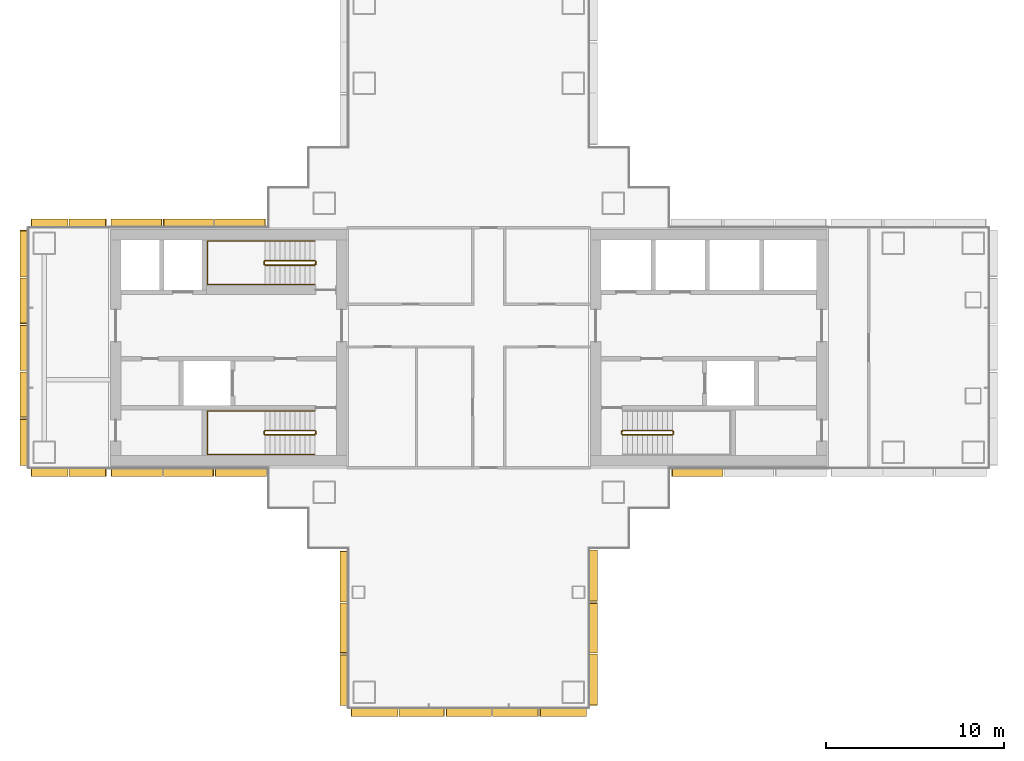
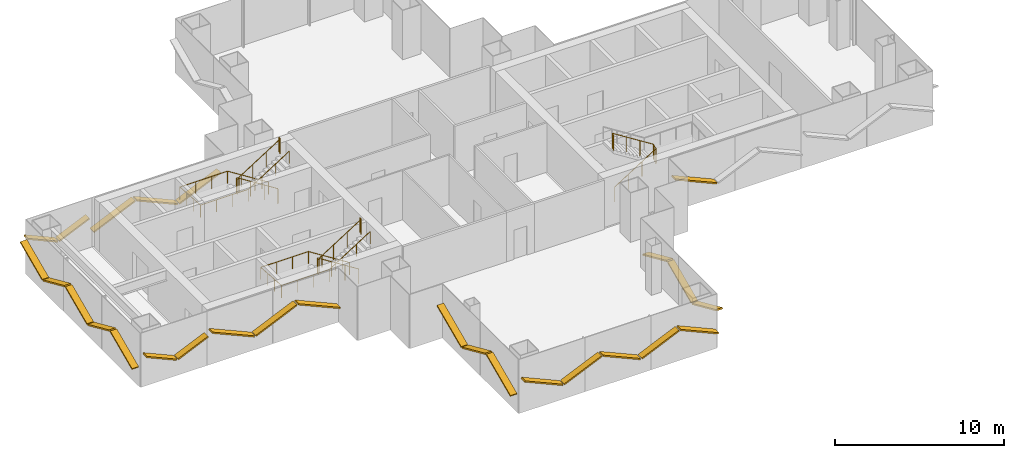
# One storey, part 16 of 18: 27 shading devices, 5 railings.
"""IFC4 building model written with IfcOpenShell, lengths in metres."""

import ifcopenshell
import ifcopenshell.guid

model = None  # the IFC model being written
_history = None  # IfcOwnerHistory: only IFC2X3 demands one
_inside = {}  # id of a spatial element -> (the spatial element, [elements in it])
_under = {}  # id of a project, library or spatial element -> (it, [spatial elements below it])
_declared = {}  # id of a project -> (the project, [libraries it declares])
_typed = {}  # id of a type object -> (the type object, [elements of that type])
_made_of = {}  # id of a material, layer set ... -> (it, [elements and type objects made of it])


def new_model(schema):
    """Start an empty IFC model of exactly this schema.

    Asked for "IFC4X3", IfcOpenShell would pick the latest addendum, in which some entities
    have other attributes; the version numbers below select the first issue.
    IFC2X3 requires an IfcOwnerHistory on every rooted entity: one is made here for all.
    """
    global model, _history
    if schema == "IFC4X3":
        model = ifcopenshell.file(schema_version=(4, 3, 0, 0))
    else:
        model = ifcopenshell.file(schema=schema)
    _inside.clear()
    _under.clear()
    _declared.clear()
    _typed.clear()
    _made_of.clear()
    _history = None
    if model.schema == "IFC2X3":
        org = make("IfcOrganization", Name="unknown")
        user = make(
            "IfcPersonAndOrganization",
            ThePerson=make("IfcPerson", FamilyName="unknown"),
            TheOrganization=org,
        )
        app = make(
            "IfcApplication",
            ApplicationDeveloper=org,
            Version="unknown",
            ApplicationFullName="unknown",
            ApplicationIdentifier="unknown",
        )
        _history = make(
            "IfcOwnerHistory",
            OwningUser=user,
            OwningApplication=app,
            ChangeAction="ADDED",
            CreationDate=0,
        )
    return model


def make(cls, **values):
    """One entity of the class cls with the attributes given. An attribute that is None is left unset."""
    return model.create_entity(
        cls, **{name: value for name, value in values.items() if value is not None}
    )


def rooted(cls, **values):
    """An entity with a GlobalId (a new one), such as an element, a storey or a relation."""
    return make(cls, GlobalId=ifcopenshell.guid.new(), OwnerHistory=_history, **values)


def si_unit(unit_type, name, prefix=None):
    """IfcSIUnit, for example si_unit("LENGTHUNIT", "METRE", prefix="MILLI")."""
    return make("IfcSIUnit", UnitType=unit_type, Prefix=prefix, Name=name)


def assignment(units):
    """IfcUnitAssignment: the units of a project."""
    return None if units is None else make("IfcUnitAssignment", Units=units)


def point(xyz):
    """IfcCartesianPoint."""
    return None if xyz is None else make("IfcCartesianPoint", Coordinates=xyz)


def direction(xyz):
    """IfcDirection."""
    return None if xyz is None else make("IfcDirection", DirectionRatios=xyz)


def frame(location, z_axis=None, x_axis=None):
    """IfcAxis2Placement3D, a coordinate frame: its origin and axes. An axis left out is left unset."""
    return make(
        "IfcAxis2Placement3D",
        Location=point(location),
        Axis=direction(z_axis),
        RefDirection=direction(x_axis),
    )


def frame_2d(location, x_axis=None):
    """IfcAxis2Placement2D, a coordinate frame in the plane: its origin and x axis."""
    return make(
        "IfcAxis2Placement2D", Location=point(location), RefDirection=direction(x_axis)
    )


def origin():
    """The frame at (0, 0, 0) with its axes left unset."""
    return frame((0.0, 0.0, 0.0))


def origin_2d():
    """The frame at (0, 0) in the plane with its x axis left unset."""
    return frame_2d((0.0, 0.0))


def place(relative_to, where):
    """IfcLocalPlacement: puts the frame where relative to a parent placement (None: the world)."""
    return make(
        "IfcLocalPlacement", PlacementRelTo=relative_to, RelativePlacement=where
    )


def context(
    kind, dimensions, precision=None, world=None, true_north=None, identifier=None
):
    """IfcGeometricRepresentationContext, for example the 3D "Model" context."""
    return make(
        "IfcGeometricRepresentationContext",
        ContextIdentifier=identifier,
        ContextType=kind,
        CoordinateSpaceDimension=dimensions,
        Precision=precision,
        WorldCoordinateSystem=world,
        TrueNorth=true_north,
    )


def subcontext(parent, identifier, kind, view, scale=None):
    """IfcGeometricRepresentationSubContext, for example "Body" below "Model"."""
    return make(
        "IfcGeometricRepresentationSubContext",
        ContextIdentifier=identifier,
        ContextType=kind,
        ParentContext=parent,
        TargetScale=scale,
        TargetView=view,
    )


def project(units=None, contexts=None):
    """IfcProject with its units and contexts."""
    return rooted(
        "IfcProject",
        Name="project",
        RepresentationContexts=contexts,
        UnitsInContext=assignment(units),
    )


def spatial(cls, under=None, at=None, **own):
    """A site, building, storey or space (cls), placed at a placement, below another one or the project."""
    s = rooted(cls, ObjectPlacement=at, **own)
    if under is not None:
        _under.setdefault(under.id(), (under, []))[1].append(s)
    return s


def profile(cls, at=None, kind="AREA", **sizes):
    """A parametric profile (cls). Its sizes go by their IFC names, for example OverallWidth=200.0."""
    return make(cls, ProfileType=kind, Position=at, **sizes)


def rectangle(**sizes):
    """IfcRectangleProfileDef."""
    return profile("IfcRectangleProfileDef", **sizes)


def circle(**sizes):
    """IfcCircleProfileDef."""
    return profile("IfcCircleProfileDef", **sizes)


def extrude(swept, where, along, depth):
    """IfcExtrudedAreaSolid: the profile swept, set in the frame where, extruded along a direction by depth."""
    return make(
        "IfcExtrudedAreaSolid",
        SweptArea=swept,
        Position=where,
        ExtrudedDirection=direction(along),
        Depth=depth,
    )


def shape(context_of_items, identifier, shape_type, items):
    """IfcShapeRepresentation: the items that make up one representation, for example the "Body"."""
    return make(
        "IfcShapeRepresentation",
        ContextOfItems=context_of_items,
        RepresentationIdentifier=identifier,
        RepresentationType=shape_type,
        Items=items,
    )


def material(Name=None, Category=None):
    """IfcMaterial."""
    return make("IfcMaterial", Name=Name, Category=Category)


def material_profile(
    of_material, cross_section, Name=None, Category=None, Priority=None
):
    """IfcMaterialProfile: a cross section and its material."""
    return make(
        "IfcMaterialProfile",
        Name=Name,
        Material=of_material,
        Profile=cross_section,
        Priority=Priority,
        Category=Category,
    )


def profile_set(profiles, Name=None, composite=None):
    """IfcMaterialProfileSet."""
    return make(
        "IfcMaterialProfileSet",
        Name=Name,
        MaterialProfiles=profiles,
        CompositeProfile=composite,
    )


def made_of(thing, what):
    """Note that an element or type object is made of a material, layer set ...; save() writes the relation."""
    if what is not None:
        _made_of.setdefault(what.id(), (what, []))[1].append(thing)
    return thing


def type_object(cls, material=None, **own):
    """A type object (cls), such as IfcWallType, which elements share."""
    return made_of(rooted(cls, **own), material)


def element(
    cls,
    number,
    at=None,
    inside=None,
    cuts=None,
    type_object=None,
    material=None,
    context=None,
    identifier="Body",
    shape_type=None,
    held_by="IfcProductDefinitionShape",
    body=None,
    shapes=None,
    **own,
):
    """One element of the class cls, such as IfcWall. Its Tag is "e" and its number.

    at: its placement. inside: the storey or other place that contains it. cuts: it is an
    opening in that element (IfcRelVoidsElement). A single representation is given by context,
    identifier, shape_type and body (its items); several are given by shapes. held_by: the class
    of the entity that holds the representations. save() writes the other relations.
    """
    e = rooted(cls, Tag="e%d" % number, ObjectPlacement=at, **own)
    if body is not None:
        shapes = [shape(context, identifier, shape_type, body)]
    if shapes is not None:
        e.Representation = make(held_by, Representations=shapes)
    if inside is not None:
        _inside.setdefault(inside.id(), (inside, []))[1].append(e)
    if cuts is not None:
        rooted(
            "IfcRelVoidsElement", RelatingBuildingElement=cuts, RelatedOpeningElement=e
        )
    if type_object is not None:
        _typed.setdefault(type_object.id(), (type_object, []))[1].append(e)
    return made_of(e, material)


def aggregate(whole, parts):
    """IfcRelAggregates: a whole, such as a stair, and the parts it consists of."""
    return rooted("IfcRelAggregates", RelatingObject=whole, RelatedObjects=parts)


def save(model, path):
    """Write the relations noted so far, then the file.

    IfcRelAggregates (storeys below a building ...), IfcRelContainedInSpatialStructure (elements
    in a storey), IfcRelDefinesByType, IfcRelAssociatesMaterial and IfcRelDeclares: one each for
    every whole, place, type object, material and project.
    """
    for whole, parts in _under.values():
        aggregate(whole, parts)
    for where, things in _inside.values():
        rooted(
            "IfcRelContainedInSpatialStructure",
            RelatedElements=things,
            RelatingStructure=where,
        )
    for kind, things in _typed.values():
        rooted("IfcRelDefinesByType", RelatedObjects=things, RelatingType=kind)
    for what, things in _made_of.values():
        rooted("IfcRelAssociatesMaterial", RelatedObjects=things, RelatingMaterial=what)
    for by, libraries in _declared.values():
        rooted("IfcRelDeclares", RelatingContext=by, RelatedDefinitions=libraries)
    model.write(path)


model = new_model("IFC4")

# Units and contexts
model_context = context("Model", 3, precision=1e-05, world=origin(), true_north=direction((0.0, 1.0)))
body_context = subcontext(model_context, "Body", "Model", "MODEL_VIEW")
ifc_project = project(units=[si_unit("LENGTHUNIT", "METRE"), si_unit("AREAUNIT", "SQUARE_METRE"), si_unit("VOLUMEUNIT", "CUBIC_METRE"), si_unit("PLANEANGLEUNIT", "RADIAN"), si_unit("MASSUNIT", "GRAM", prefix="KILO")], contexts=[model_context])

# Site, building, storey
site_placement = place(None, origin())
site = spatial("IfcSite", under=ifc_project, at=site_placement, CompositionType="ELEMENT")
building_placement = place(site_placement, origin())
building = spatial("IfcBuilding", under=site, at=building_placement, Name="Shamsa Quay Exchange Towers", CompositionType="ELEMENT")
storey_placement = place(building_placement, frame((0.0, 0.0, 117.0)))
storey = spatial("IfcBuildingStorey", under=building, at=storey_placement, Name="L27", CompositionType="ELEMENT", Elevation=117.0)

# Shading devices
ifc_material_1 = material(Name="Aluminium EN AW-6063 T6, black anodised", Category="aluminium")
ifc_material_profile = material_profile(ifc_material_1, rectangle(XDim=0.449951171875, YDim=0.10009765625, at=origin_2d()), Name="FIN450x100")
ifc_profile_set = profile_set([ifc_material_profile], Name="Aluminium EN AW-6063 T6, black anodised")
shading_device_type = type_object("IfcShadingDeviceType", Name="FIN 450x100 BLACK ALUMINIUM", PredefinedType="USERDEFINED", material=ifc_profile_set)
shading_device_1_placement = place(storey_placement, frame((-40.764892578125, -11.43798828125, 2.231689453125), z_axis=(0.0, -0.913529328323, -0.406772868187), x_axis=(1.0, 0.0, 0.0)))
element("IfcShadingDevice", 1, at=shading_device_1_placement, inside=storey, type_object=shading_device_type, Name="FIN T1 chevron rib", ObjectType="FIN", PredefinedType="USERDEFINED", context=body_context, shape_type="SweptSolid", body=[
    extrude(rectangle(XDim=0.449951171875, YDim=0.10009765625, at=origin_2d()), origin(), (0.0, 0.0, 1.0), 3.10595703125),
])
shading_device_2_placement = place(storey_placement, frame((-40.764892578125, -14.375244140625, 0.9794921875), z_axis=(0.0, -0.913550687431, 0.406724896576), x_axis=(1.0, 0.0, 0.0)))
element("IfcShadingDevice", 2, at=shading_device_2_placement, inside=storey, type_object=shading_device_type, Name="FIN T1 chevron rib", ObjectType="FIN", PredefinedType="USERDEFINED", context=body_context, shape_type="SweptSolid", body=[
    extrude(rectangle(XDim=0.449951171875, YDim=0.10009765625, at=origin_2d()), origin(), (0.0, 0.0, 1.0), 3.051025390625),
])
shading_device_3_placement = place(storey_placement, frame((-40.764892578125, -17.2626953125, 2.231689453125), z_axis=(0.0, -0.913529328323, -0.406772868187), x_axis=(1.0, 0.0, 0.0)))
element("IfcShadingDevice", 3, at=shading_device_3_placement, inside=storey, type_object=shading_device_type, Name="FIN T1 chevron rib", ObjectType="FIN", PredefinedType="USERDEFINED", context=body_context, shape_type="SweptSolid", body=[
    extrude(rectangle(XDim=0.449951171875, YDim=0.10009765625, at=origin_2d()), origin(), (0.0, 0.0, 1.0), 3.10595703125),
])
shading_device_4_placement = place(storey_placement, frame((-40.35009765625, -20.514892578125, 2.176513671875), z_axis=(0.91355925163, 0.0, -0.406705659859), x_axis=(0.0, 1.0, 0.0)))
element("IfcShadingDevice", 4, at=shading_device_4_placement, inside=storey, type_object=shading_device_type, Name="FIN T1 chevron rib", ObjectType="FIN", PredefinedType="USERDEFINED", context=body_context, shape_type="SweptSolid", body=[
    extrude(rectangle(XDim=0.449951171875, YDim=0.10009765625, at=origin_2d()), origin(), (0.0, 0.0, 1.0), 2.835205078125),
])
shading_device_5_placement = place(storey_placement, frame((-37.659912109375, -20.514892578125, 1.03466796875), z_axis=(0.913536125794, 0.0, 0.406757602103), x_axis=(0.0, 1.0, 0.0)))
element("IfcShadingDevice", 5, at=shading_device_5_placement, inside=storey, type_object=shading_device_type, Name="FIN T1 chevron rib", ObjectType="FIN", PredefinedType="USERDEFINED", context=body_context, shape_type="SweptSolid", body=[
    extrude(rectangle(XDim=0.449951171875, YDim=0.10009765625, at=origin_2d()), origin(), (0.0, 0.0, 1.0), 2.7802734375),
])
shading_device_6_placement = place(storey_placement, frame((-35.02001953125, -20.514892578125, 2.16552734375), z_axis=(0.913550653139, 0.0, -0.4067249736), x_axis=(0.0, 1.0, 0.0)))
element("IfcShadingDevice", 6, at=shading_device_6_placement, inside=storey, type_object=shading_device_type, Name="FIN T1 chevron rib", ObjectType="FIN", PredefinedType="USERDEFINED", context=body_context, shape_type="SweptSolid", body=[
    extrude(rectangle(XDim=0.449951171875, YDim=0.10009765625, at=origin_2d()), origin(), (0.0, 0.0, 1.0), 2.780517578125),
])
shading_device_7_placement = place(storey_placement, frame((-32.3798828125, -20.514892578125, 1.03466796875), z_axis=(0.913536125794, 0.0, 0.406757602103), x_axis=(0.0, 1.0, 0.0)))
element("IfcShadingDevice", 7, at=shading_device_7_placement, inside=storey, type_object=shading_device_type, Name="FIN T1 chevron rib", ObjectType="FIN", PredefinedType="USERDEFINED", context=body_context, shape_type="SweptSolid", body=[
    extrude(rectangle(XDim=0.449951171875, YDim=0.10009765625, at=origin_2d()), origin(), (0.0, 0.0, 1.0), 2.7802734375),
])
shading_device_8_placement = place(storey_placement, frame((-29.739990234375, -20.514892578125, 2.176513671875), z_axis=(0.91355925163, 0.0, -0.406705659859), x_axis=(0.0, 1.0, 0.0)))
element("IfcShadingDevice", 8, at=shading_device_8_placement, inside=storey, type_object=shading_device_type, Name="FIN T1 chevron rib", ObjectType="FIN", PredefinedType="USERDEFINED", context=body_context, shape_type="SweptSolid", body=[
    extrude(rectangle(XDim=0.449951171875, YDim=0.10009765625, at=origin_2d()), origin(), (0.0, 0.0, 1.0), 2.835205078125),
])
shading_device_9_placement = place(storey_placement, frame((-26.735107421875, -20.10009765625, 2.234375), z_axis=(0.0, 0.913562893981, -0.406697478158), x_axis=(-1.0, 0.0, 0.0)))
element("IfcShadingDevice", 9, at=shading_device_9_placement, inside=storey, type_object=shading_device_type, Name="FIN T1 chevron rib", ObjectType="FIN", PredefinedType="USERDEFINED", context=body_context, shape_type="SweptSolid", body=[
    extrude(rectangle(XDim=0.449951171875, YDim=0.10009765625, at=origin_2d()), origin(), (0.0, 0.0, 1.0), 3.119873046875),
])
shading_device_10_placement = place(storey_placement, frame((-26.735107421875, -17.14990234375, 0.9765625), z_axis=(0.0, 0.913512380128, 0.406810928262), x_axis=(-1.0, 0.0, 0.0)))
element("IfcShadingDevice", 10, at=shading_device_10_placement, inside=storey, type_object=shading_device_type, Name="FIN T1 chevron rib", ObjectType="FIN", PredefinedType="USERDEFINED", context=body_context, shape_type="SweptSolid", body=[
    extrude(rectangle(XDim=0.449951171875, YDim=0.10009765625, at=origin_2d()), origin(), (0.0, 0.0, 1.0), 3.06494140625),
])
shading_device_11_placement = place(storey_placement, frame((-26.735107421875, -14.25, 2.234375), z_axis=(0.0, 0.913562893981, -0.406697478158), x_axis=(-1.0, 0.0, 0.0)))
element("IfcShadingDevice", 11, at=shading_device_11_placement, inside=storey, type_object=shading_device_type, Name="FIN T1 chevron rib", ObjectType="FIN", PredefinedType="USERDEFINED", context=body_context, shape_type="SweptSolid", body=[
    extrude(rectangle(XDim=0.449951171875, YDim=0.10009765625, at=origin_2d()), origin(), (0.0, 0.0, 1.0), 3.119873046875),
])
for number, where, z_axis, x_axis, name in (
    (12, (-22.31201171875, -7.01904296875, 2.231689453125), (0.913529328323, 0.0, -0.406772868187), (0.0, 1.0, 0.0), "FIN T1 chevron rib"),
    (13, (-45.18798828125, 7.01904296875, 2.231689453125), (-0.913529328323, 0.0, -0.406772868187), (0.0, -1.0, 0.0), "FIN T1 chevron rib"),
):
    element("IfcShadingDevice", number, at=place(storey_placement, frame(where, z_axis=z_axis, x_axis=x_axis)), inside=storey, type_object=shading_device_type, Name=name, ObjectType="FIN", PredefinedType="USERDEFINED", context=body_context, shape_type="SweptSolid", body=[
        extrude(rectangle(XDim=0.449951171875, YDim=0.10009765625, at=origin_2d()), origin(), (0.0, 0.0, 1.0), 3.10595703125),
    ])
shading_device_12_placement = place(storey_placement, frame((-48.125244140625, 7.01904296875, 0.9794921875), z_axis=(-0.913550687431, 0.0, 0.406724896576), x_axis=(0.0, -1.0, 0.0)))
element("IfcShadingDevice", 14, at=shading_device_12_placement, inside=storey, type_object=shading_device_type, Name="FIN T1 chevron rib", ObjectType="FIN", PredefinedType="USERDEFINED", context=body_context, shape_type="SweptSolid", body=[
    extrude(rectangle(XDim=0.449951171875, YDim=0.10009765625, at=origin_2d()), origin(), (0.0, 0.0, 1.0), 3.051025390625),
])
shading_device_13_placement = place(storey_placement, frame((-51.0126953125, 7.01904296875, 2.231689453125), z_axis=(-0.913529328323, 0.0, -0.406772868187), x_axis=(0.0, -1.0, 0.0)))
element("IfcShadingDevice", 15, at=shading_device_13_placement, inside=storey, type_object=shading_device_type, Name="FIN T1 chevron rib", ObjectType="FIN", PredefinedType="USERDEFINED", context=body_context, shape_type="SweptSolid", body=[
    extrude(rectangle(XDim=0.449951171875, YDim=0.10009765625, at=origin_2d()), origin(), (0.0, 0.0, 1.0), 3.10595703125),
])
for number, where, z_axis, x_axis, name in (
    (16, (-54.14990234375, 7.014892578125, 2.056396484375), (-0.913528691757, 0.0, -0.406774297783), (0.0, -1.0, 0.0), "FIN T1 chevron rib"),
    (17, (-56.300048828125, 7.014892578125, 1.1435546875), (-0.913528691757, 0.0, 0.406774297783), (0.0, -1.0, 0.0), "FIN T1 chevron rib"),
):
    element("IfcShadingDevice", number, at=place(storey_placement, frame(where, z_axis=z_axis, x_axis=x_axis)), inside=storey, type_object=shading_device_type, Name=name, ObjectType="FIN", PredefinedType="USERDEFINED", context=body_context, shape_type="SweptSolid", body=[
        extrude(rectangle(XDim=0.449951171875, YDim=0.10009765625, at=origin_2d()), origin(), (0.0, 0.0, 1.0), 2.244140625),
    ])
shading_device_14_placement = place(storey_placement, frame((-58.764892578125, 6.60009765625, 2.176513671875), z_axis=(0.0, -0.91355925163, -0.406705659859), x_axis=(1.0, 0.0, 0.0)))
element("IfcShadingDevice", 18, at=shading_device_14_placement, inside=storey, type_object=shading_device_type, Name="FIN T1 chevron rib", ObjectType="FIN", PredefinedType="USERDEFINED", context=body_context, shape_type="SweptSolid", body=[
    extrude(rectangle(XDim=0.449951171875, YDim=0.10009765625, at=origin_2d()), origin(), (0.0, 0.0, 1.0), 2.835205078125),
])
shading_device_15_placement = place(storey_placement, frame((-58.764892578125, 3.909912109375, 1.03466796875), z_axis=(0.0, -0.913536125794, 0.406757602103), x_axis=(1.0, 0.0, 0.0)))
element("IfcShadingDevice", 19, at=shading_device_15_placement, inside=storey, type_object=shading_device_type, Name="FIN T1 chevron rib", ObjectType="FIN", PredefinedType="USERDEFINED", context=body_context, shape_type="SweptSolid", body=[
    extrude(rectangle(XDim=0.449951171875, YDim=0.10009765625, at=origin_2d()), origin(), (0.0, 0.0, 1.0), 2.7802734375),
])
shading_device_16_placement = place(storey_placement, frame((-58.764892578125, 1.27001953125, 2.16552734375), z_axis=(0.0, -0.913550653139, -0.4067249736), x_axis=(1.0, 0.0, 0.0)))
element("IfcShadingDevice", 20, at=shading_device_16_placement, inside=storey, type_object=shading_device_type, Name="FIN T1 chevron rib", ObjectType="FIN", PredefinedType="USERDEFINED", context=body_context, shape_type="SweptSolid", body=[
    extrude(rectangle(XDim=0.449951171875, YDim=0.10009765625, at=origin_2d()), origin(), (0.0, 0.0, 1.0), 2.780517578125),
])
shading_device_17_placement = place(storey_placement, frame((-58.764892578125, -1.3701171875, 1.03466796875), z_axis=(0.0, -0.913536125794, 0.406757602103), x_axis=(1.0, 0.0, 0.0)))
element("IfcShadingDevice", 21, at=shading_device_17_placement, inside=storey, type_object=shading_device_type, Name="FIN T1 chevron rib", ObjectType="FIN", PredefinedType="USERDEFINED", context=body_context, shape_type="SweptSolid", body=[
    extrude(rectangle(XDim=0.449951171875, YDim=0.10009765625, at=origin_2d()), origin(), (0.0, 0.0, 1.0), 2.7802734375),
])
shading_device_18_placement = place(storey_placement, frame((-58.764892578125, -4.010009765625, 2.176513671875), z_axis=(0.0, -0.91355925163, -0.406705659859), x_axis=(1.0, 0.0, 0.0)))
element("IfcShadingDevice", 22, at=shading_device_18_placement, inside=storey, type_object=shading_device_type, Name="FIN T1 chevron rib", ObjectType="FIN", PredefinedType="USERDEFINED", context=body_context, shape_type="SweptSolid", body=[
    extrude(rectangle(XDim=0.449951171875, YDim=0.10009765625, at=origin_2d()), origin(), (0.0, 0.0, 1.0), 2.835205078125),
])
for number, where, z_axis, x_axis, name in (
    (23, (-58.35009765625, -7.014892578125, 2.056396484375), (0.913528691757, 0.0, -0.406774297783), (0.0, 1.0, 0.0), "FIN T1 chevron rib"),
    (24, (-56.199951171875, -7.014892578125, 1.1435546875), (0.913528691757, 0.0, 0.406774297783), (0.0, 1.0, 0.0), "FIN T1 chevron rib"),
):
    element("IfcShadingDevice", number, at=place(storey_placement, frame(where, z_axis=z_axis, x_axis=x_axis)), inside=storey, type_object=shading_device_type, Name=name, ObjectType="FIN", PredefinedType="USERDEFINED", context=body_context, shape_type="SweptSolid", body=[
        extrude(rectangle(XDim=0.449951171875, YDim=0.10009765625, at=origin_2d()), origin(), (0.0, 0.0, 1.0), 2.244140625),
    ])
shading_device_19_placement = place(storey_placement, frame((-53.85009765625, -7.01904296875, 2.234375), z_axis=(0.913562893981, 0.0, -0.406697478158), x_axis=(0.0, 1.0, 0.0)))
element("IfcShadingDevice", 25, at=shading_device_19_placement, inside=storey, type_object=shading_device_type, Name="FIN T1 chevron rib", ObjectType="FIN", PredefinedType="USERDEFINED", context=body_context, shape_type="SweptSolid", body=[
    extrude(rectangle(XDim=0.449951171875, YDim=0.10009765625, at=origin_2d()), origin(), (0.0, 0.0, 1.0), 3.119873046875),
])
shading_device_20_placement = place(storey_placement, frame((-50.89990234375, -7.01904296875, 0.9765625), z_axis=(0.913512380128, 0.0, 0.406810928262), x_axis=(0.0, 1.0, 0.0)))
element("IfcShadingDevice", 26, at=shading_device_20_placement, inside=storey, type_object=shading_device_type, Name="FIN T1 chevron rib", ObjectType="FIN", PredefinedType="USERDEFINED", context=body_context, shape_type="SweptSolid", body=[
    extrude(rectangle(XDim=0.449951171875, YDim=0.10009765625, at=origin_2d()), origin(), (0.0, 0.0, 1.0), 3.06494140625),
])
shading_device_21_placement = place(storey_placement, frame((-48.0, -7.01904296875, 2.234375), z_axis=(0.913562893981, 0.0, -0.406697478158), x_axis=(0.0, 1.0, 0.0)))
element("IfcShadingDevice", 27, at=shading_device_21_placement, inside=storey, type_object=shading_device_type, Name="FIN T1 chevron rib", ObjectType="FIN", PredefinedType="USERDEFINED", context=body_context, shape_type="SweptSolid", body=[
    extrude(rectangle(XDim=0.449951171875, YDim=0.10009765625, at=origin_2d()), origin(), (0.0, 0.0, 1.0), 3.119873046875),
])

# Railings
ifc_material_2 = material(Name="Stainless steel", Category="steel")
railing_type_1 = type_object("IfcRailingType", Name="STAIR GUARD 1100", PredefinedType="GUARDRAIL", material=ifc_material_2)
railing_1_placement = place(storey_placement, frame((-25.10009765625, -4.89990234375, 0.17724609375)))
element("IfcRailing", 28, at=railing_1_placement, inside=storey, type_object=railing_type_1, Name="L27 ST1 stair guard 1", PredefinedType="GUARDRAIL", context=body_context, shape_type="SweptSolid", body=[
    extrude(circle(Radius=0.02392578125, at=origin_2d()), frame((0.0, 0.0, 1.076171875), z_axis=(0.844908973607, 0.0, 0.534910110503), x_axis=(0.0, 1.0, 0.0)), (0.0, 0.0, 1.0), 3.31396484375),
    extrude(circle(Radius=0.02392578125, at=origin_2d()), frame((2.800048828125, 0.0, 2.8486328125), z_axis=(0.708833529934, 0.705375805398, 0.0), x_axis=(-0.705375805398, 0.708833529934, 0.0)), (0.0, 0.0, 1.0), 0.070556640625),
    extrude(circle(Radius=0.02392578125, at=origin_2d()), frame((2.85009765625, 0.0498046875, 2.8486328125), z_axis=(0.0, 1.0, 0.0), x_axis=(-1.0, 0.0, 0.0)), (0.0, 0.0, 1.0), 0.150146484375),
    extrude(circle(Radius=0.02392578125, at=origin_2d()), frame((2.85009765625, 0.199951171875, 2.8486328125), z_axis=(-0.262233686654, 0.262233686654, 0.928691007369), x_axis=(-0.707106781187, -0.707106781187, 0.0)), (0.0, 0.0, 1.0), 0.19091796875),
    extrude(circle(Radius=0.02392578125, at=origin_2d()), frame((2.800048828125, 0.25, 3.02587890625), z_axis=(-0.844908973607, 0.0, 0.534910110503), x_axis=(0.0, -1.0, 0.0)), (0.0, 0.0, 1.0), 3.31396484375),
    extrude(circle(Radius=0.02392578125, at=origin_2d()), frame((0.0, 0.25, 4.798828125), z_axis=(-0.24142163986, -0.970420317083, 0.0), x_axis=(0.970420317083, -0.24142163986, 0.0)), (0.0, 0.0, 1.0), 0.206298828125),
    extrude(circle(Radius=0.02392578125, at=origin_2d()), frame((-0.0498046875, 0.0498046875, 4.798828125), z_axis=(0.0, 1.0, 0.0), x_axis=(-1.0, 0.0, 0.0)), (0.0, 0.0, 1.0), 0.150146484375),
    extrude(circle(Radius=0.02099609375, at=origin_2d()), origin(), (0.0, 0.0, 1.0), 1.052001953125),
    extrude(circle(Radius=0.02099609375, at=origin_2d()), frame((0.933349609375, 0.0, 0.5908203125)), (0.0, 0.0, 1.0), 1.052001953125),
    extrude(circle(Radius=0.02099609375, at=origin_2d()), frame((1.86669921875, 0.0, 1.181884765625)), (0.0, 0.0, 1.0), 1.052001953125),
    extrude(circle(Radius=0.02099609375, at=origin_2d()), frame((2.800048828125, 0.0, 1.772705078125)), (0.0, 0.0, 1.0), 1.052001953125),
    extrude(circle(Radius=0.02099609375, at=origin_2d()), frame((2.85009765625, 0.0498046875, 1.772705078125)), (0.0, 0.0, 1.0), 1.052001953125),
    extrude(circle(Radius=0.02099609375, at=origin_2d()), frame((2.85009765625, 0.199951171875, 1.772705078125)), (0.0, 0.0, 1.0), 1.052001953125),
    extrude(circle(Radius=0.02099609375, at=origin_2d()), frame((2.800048828125, 0.25, 1.949951171875)), (0.0, 0.0, 1.0), 1.052001953125),
    extrude(circle(Radius=0.02099609375, at=origin_2d()), frame((1.86669921875, 0.25, 2.540771484375)), (0.0, 0.0, 1.0), 1.052001953125),
    extrude(circle(Radius=0.02099609375, at=origin_2d()), frame((0.933349609375, 0.25, 3.1318359375)), (0.0, 0.0, 1.0), 1.052001953125),
    extrude(circle(Radius=0.02099609375, at=origin_2d()), frame((0.0, 0.25, 3.72265625)), (0.0, 0.0, 1.0), 1.052001953125),
    extrude(circle(Radius=0.02099609375, at=origin_2d()), frame((-0.0498046875, 0.0498046875, 3.72265625)), (0.0, 0.0, 1.0), 1.052001953125),
    extrude(circle(Radius=0.02099609375, at=origin_2d()), frame((-0.0498046875, 0.199951171875, 3.72265625)), (0.0, 0.0, 1.0), 1.052001953125),
])
railing_2_placement = place(storey_placement, frame((-42.39990234375, -4.64990234375, 0.17724609375)))
element("IfcRailing", 29, at=railing_2_placement, inside=storey, type_object=railing_type_1, Name="L27 ST2 stair guard 1", PredefinedType="GUARDRAIL", context=body_context, shape_type="SweptSolid", body=[
    extrude(circle(Radius=0.02392578125, at=origin_2d()), frame((0.0, 0.0, 1.076171875), z_axis=(-0.844908973607, 0.0, 0.534910110503), x_axis=(0.0, -1.0, 0.0)), (0.0, 0.0, 1.0), 3.31396484375),
    extrude(circle(Radius=0.02392578125, at=origin_2d()), frame((-2.800048828125, 0.0, 2.8486328125), z_axis=(-0.707106781187, -0.707106781187, 0.0), x_axis=(0.707106781187, -0.707106781187, 0.0)), (0.0, 0.0, 1.0), 0.07080078125),
    extrude(circle(Radius=0.02392578125, at=origin_2d()), frame((-2.85009765625, -0.050048828125, 2.8486328125), z_axis=(0.0, -1.0, 0.0), x_axis=(1.0, 0.0, 0.0)), (0.0, 0.0, 1.0), 0.150146484375),
    extrude(circle(Radius=0.02392578125, at=origin_2d()), frame((-2.85009765625, -0.2001953125, 2.8486328125), z_axis=(0.262321481514, -0.261041864531, 0.929001929653), x_axis=(0.705375805398, 0.708833529934, 0.0)), (0.0, 0.0, 1.0), 0.190673828125),
    extrude(circle(Radius=0.02392578125, at=origin_2d()), frame((-2.800048828125, -0.25, 3.02587890625), z_axis=(0.844908973607, 0.0, 0.534910110503), x_axis=(0.0, 1.0, 0.0)), (0.0, 0.0, 1.0), 3.31396484375),
    extrude(circle(Radius=0.02392578125, at=origin_2d()), frame((0.0, -0.25, 4.798828125), z_axis=(0.241699205484, 0.970351222016, 0.0), x_axis=(-0.970351222016, 0.241699205484, 0.0)), (0.0, 0.0, 1.0), 0.2060546875),
    extrude(circle(Radius=0.02392578125, at=origin_2d()), frame((0.0498046875, -0.050048828125, 4.798828125), z_axis=(0.0, -1.0, 0.0), x_axis=(1.0, 0.0, 0.0)), (0.0, 0.0, 1.0), 0.150146484375),
    extrude(circle(Radius=0.02099609375, at=origin_2d()), origin(), (0.0, 0.0, 1.0), 1.052001953125),
    extrude(circle(Radius=0.02099609375, at=origin_2d()), frame((-0.933349609375, 0.0, 0.5908203125)), (0.0, 0.0, 1.0), 1.052001953125),
    extrude(circle(Radius=0.02099609375, at=origin_2d()), frame((-1.86669921875, 0.0, 1.181884765625)), (0.0, 0.0, 1.0), 1.052001953125),
    extrude(circle(Radius=0.02099609375, at=origin_2d()), frame((-2.800048828125, 0.0, 1.772705078125)), (0.0, 0.0, 1.0), 1.052001953125),
    extrude(circle(Radius=0.02099609375, at=origin_2d()), frame((-2.85009765625, -0.050048828125, 1.772705078125)), (0.0, 0.0, 1.0), 1.052001953125),
    extrude(circle(Radius=0.02099609375, at=origin_2d()), frame((-2.85009765625, -0.2001953125, 1.772705078125)), (0.0, 0.0, 1.0), 1.052001953125),
    extrude(circle(Radius=0.02099609375, at=origin_2d()), frame((-2.800048828125, -0.25, 1.949951171875)), (0.0, 0.0, 1.0), 1.052001953125),
    extrude(circle(Radius=0.02099609375, at=origin_2d()), frame((-1.86669921875, -0.25, 2.540771484375)), (0.0, 0.0, 1.0), 1.052001953125),
    extrude(circle(Radius=0.02099609375, at=origin_2d()), frame((-0.933349609375, -0.25, 3.1318359375)), (0.0, 0.0, 1.0), 1.052001953125),
    extrude(circle(Radius=0.02099609375, at=origin_2d()), frame((0.0, -0.25, 3.72265625)), (0.0, 0.0, 1.0), 1.052001953125),
    extrude(circle(Radius=0.02099609375, at=origin_2d()), frame((0.0498046875, -0.050048828125, 3.72265625)), (0.0, 0.0, 1.0), 1.052001953125),
    extrude(circle(Radius=0.02099609375, at=origin_2d()), frame((0.0498046875, -0.2001953125, 3.72265625)), (0.0, 0.0, 1.0), 1.052001953125),
])
railing_3_placement = place(storey_placement, frame((-42.39990234375, 4.89990234375, 0.17724609375)))
element("IfcRailing", 30, at=railing_3_placement, inside=storey, type_object=railing_type_1, Name="L27 ST3 stair guard 1", PredefinedType="GUARDRAIL", context=body_context, shape_type="SweptSolid", body=[
    extrude(circle(Radius=0.02392578125, at=origin_2d()), frame((0.0, 0.0, 1.076171875), z_axis=(-0.844908973607, 0.0, 0.534910110503), x_axis=(0.0, -1.0, 0.0)), (0.0, 0.0, 1.0), 3.31396484375),
    extrude(circle(Radius=0.02392578125, at=origin_2d()), frame((-2.800048828125, 0.0, 2.8486328125), z_axis=(-0.708833529934, -0.705375805398, 0.0), x_axis=(0.705375805398, -0.708833529934, 0.0)), (0.0, 0.0, 1.0), 0.070556640625),
    extrude(circle(Radius=0.02392578125, at=origin_2d()), frame((-2.85009765625, -0.0498046875, 2.8486328125), z_axis=(0.0, -1.0, 0.0), x_axis=(1.0, 0.0, 0.0)), (0.0, 0.0, 1.0), 0.150146484375),
    extrude(circle(Radius=0.02392578125, at=origin_2d()), frame((-2.85009765625, -0.199951171875, 2.8486328125), z_axis=(0.262233686654, -0.262233686654, 0.928691007369), x_axis=(0.707106781187, 0.707106781187, 0.0)), (0.0, 0.0, 1.0), 0.19091796875),
    extrude(circle(Radius=0.02392578125, at=origin_2d()), frame((-2.800048828125, -0.25, 3.02587890625), z_axis=(0.844908973607, 0.0, 0.534910110503), x_axis=(0.0, 1.0, 0.0)), (0.0, 0.0, 1.0), 3.31396484375),
    extrude(circle(Radius=0.02392578125, at=origin_2d()), frame((0.0, -0.25, 4.798828125), z_axis=(0.24142163986, 0.970420317083, 0.0), x_axis=(-0.970420317083, 0.24142163986, 0.0)), (0.0, 0.0, 1.0), 0.206298828125),
    extrude(circle(Radius=0.02392578125, at=origin_2d()), frame((0.0498046875, -0.0498046875, 4.798828125), z_axis=(0.0, -1.0, 0.0), x_axis=(1.0, 0.0, 0.0)), (0.0, 0.0, 1.0), 0.150146484375),
    extrude(circle(Radius=0.02099609375, at=origin_2d()), origin(), (0.0, 0.0, 1.0), 1.052001953125),
    extrude(circle(Radius=0.02099609375, at=origin_2d()), frame((-0.933349609375, 0.0, 0.5908203125)), (0.0, 0.0, 1.0), 1.052001953125),
    extrude(circle(Radius=0.02099609375, at=origin_2d()), frame((-1.86669921875, 0.0, 1.181884765625)), (0.0, 0.0, 1.0), 1.052001953125),
    extrude(circle(Radius=0.02099609375, at=origin_2d()), frame((-2.800048828125, 0.0, 1.772705078125)), (0.0, 0.0, 1.0), 1.052001953125),
    extrude(circle(Radius=0.02099609375, at=origin_2d()), frame((-2.85009765625, -0.0498046875, 1.772705078125)), (0.0, 0.0, 1.0), 1.052001953125),
    extrude(circle(Radius=0.02099609375, at=origin_2d()), frame((-2.85009765625, -0.199951171875, 1.772705078125)), (0.0, 0.0, 1.0), 1.052001953125),
    extrude(circle(Radius=0.02099609375, at=origin_2d()), frame((-2.800048828125, -0.25, 1.949951171875)), (0.0, 0.0, 1.0), 1.052001953125),
    extrude(circle(Radius=0.02099609375, at=origin_2d()), frame((-1.86669921875, -0.25, 2.540771484375)), (0.0, 0.0, 1.0), 1.052001953125),
    extrude(circle(Radius=0.02099609375, at=origin_2d()), frame((-0.933349609375, -0.25, 3.1318359375)), (0.0, 0.0, 1.0), 1.052001953125),
    extrude(circle(Radius=0.02099609375, at=origin_2d()), frame((0.0, -0.25, 3.72265625)), (0.0, 0.0, 1.0), 1.052001953125),
    extrude(circle(Radius=0.02099609375, at=origin_2d()), frame((0.0498046875, -0.0498046875, 3.72265625)), (0.0, 0.0, 1.0), 1.052001953125),
    extrude(circle(Radius=0.02099609375, at=origin_2d()), frame((0.0498046875, -0.199951171875, 3.72265625)), (0.0, 0.0, 1.0), 1.052001953125),
])
railing_type_2 = type_object("IfcRailingType", Name="STAIR HANDRAIL 900", PredefinedType="HANDRAIL", material=ifc_material_2)
railing_4_placement = place(storey_placement, frame((-42.39990234375, -3.550048828125, 0.17724609375)))
element("IfcRailing", 31, at=railing_4_placement, inside=storey, type_object=railing_type_2, Name="L27 ST2 stair handrail 1", PredefinedType="HANDRAIL", context=body_context, shape_type="SweptSolid", body=[
    extrude(circle(Radius=0.02392578125, at=origin_2d()), frame((0.0, 0.0, 0.8759765625), z_axis=(-0.844908973607, 0.0, 0.534910110503), x_axis=(0.0, -1.0, 0.0)), (0.0, 0.0, 1.0), 3.31396484375),
    extrude(circle(Radius=0.02392578125, at=origin_2d()), frame((-2.800048828125, 0.0, 2.6484375), z_axis=(-1.0, 0.0, 0.0), x_axis=(0.0, -1.0, 0.0)), (0.0, 0.0, 1.0), 3.25),
    extrude(circle(Radius=0.02392578125, at=origin_2d()), frame((-6.050048828125, 0.0, 2.6484375), z_axis=(0.0, -0.997393199914, 0.07215819264), x_axis=(1.0, 0.0, 0.0)), (0.0, 0.0, 1.0), 2.456298828125),
    extrude(circle(Radius=0.02392578125, at=origin_2d()), frame((-6.050048828125, -2.449951171875, 2.82568359375), z_axis=(1.0, 0.0, 0.0), x_axis=(0.0, 1.0, 0.0)), (0.0, 0.0, 1.0), 3.25),
    extrude(circle(Radius=0.02392578125, at=origin_2d()), frame((-2.800048828125, -2.449951171875, 2.82568359375), z_axis=(0.844908973607, 0.0, 0.534910110503), x_axis=(0.0, 1.0, 0.0)), (0.0, 0.0, 1.0), 3.31396484375),
    extrude(circle(Radius=0.02099609375, at=origin_2d()), origin(), (0.0, 0.0, 1.0), 0.851806640625),
    extrude(circle(Radius=0.02099609375, at=origin_2d()), frame((-0.933349609375, 0.0, 0.5908203125)), (0.0, 0.0, 1.0), 0.851806640625),
    extrude(circle(Radius=0.02099609375, at=origin_2d()), frame((-1.86669921875, 0.0, 1.181884765625)), (0.0, 0.0, 1.0), 0.851806640625),
    extrude(circle(Radius=0.02099609375, at=origin_2d()), frame((-2.800048828125, 0.0, 1.772705078125)), (0.0, 0.0, 1.0), 0.851806640625),
    extrude(circle(Radius=0.02099609375, at=origin_2d()), frame((-3.88330078125, 0.0, 1.772705078125)), (0.0, 0.0, 1.0), 0.851806640625),
    extrude(circle(Radius=0.02099609375, at=origin_2d()), frame((-4.966796875, 0.0, 1.772705078125)), (0.0, 0.0, 1.0), 0.851806640625),
    extrude(circle(Radius=0.02099609375, at=origin_2d()), frame((-6.050048828125, 0.0, 1.772705078125)), (0.0, 0.0, 1.0), 0.851806640625),
    extrude(circle(Radius=0.02099609375, at=origin_2d()), frame((-6.050048828125, -0.816650390625, 1.831787109375)), (0.0, 0.0, 1.0), 0.851806640625),
    extrude(circle(Radius=0.02099609375, at=origin_2d()), frame((-6.050048828125, -1.63330078125, 1.890869140625)), (0.0, 0.0, 1.0), 0.851806640625),
    extrude(circle(Radius=0.02099609375, at=origin_2d()), frame((-6.050048828125, -2.449951171875, 1.949951171875)), (0.0, 0.0, 1.0), 0.851806640625),
    extrude(circle(Radius=0.02099609375, at=origin_2d()), frame((-4.966796875, -2.449951171875, 1.949951171875)), (0.0, 0.0, 1.0), 0.851806640625),
    extrude(circle(Radius=0.02099609375, at=origin_2d()), frame((-3.88330078125, -2.449951171875, 1.949951171875)), (0.0, 0.0, 1.0), 0.851806640625),
    extrude(circle(Radius=0.02099609375, at=origin_2d()), frame((-2.800048828125, -2.449951171875, 1.949951171875)), (0.0, 0.0, 1.0), 0.851806640625),
    extrude(circle(Radius=0.02099609375, at=origin_2d()), frame((-1.86669921875, -2.449951171875, 2.540771484375)), (0.0, 0.0, 1.0), 0.851806640625),
    extrude(circle(Radius=0.02099609375, at=origin_2d()), frame((-0.933349609375, -2.449951171875, 3.1318359375)), (0.0, 0.0, 1.0), 0.851806640625),
    extrude(circle(Radius=0.02099609375, at=origin_2d()), frame((0.0, -2.449951171875, 3.72265625)), (0.0, 0.0, 1.0), 0.851806640625),
])
railing_5_placement = place(storey_placement, frame((-42.39990234375, 6.0, 0.17724609375)))
element("IfcRailing", 32, at=railing_5_placement, inside=storey, type_object=railing_type_2, Name="L27 ST3 stair handrail 1", PredefinedType="HANDRAIL", context=body_context, shape_type="SweptSolid", body=[
    extrude(circle(Radius=0.02392578125, at=origin_2d()), frame((0.0, 0.0, 0.8759765625), z_axis=(-0.844908973607, 0.0, 0.534910110503), x_axis=(0.0, -1.0, 0.0)), (0.0, 0.0, 1.0), 3.31396484375),
    extrude(circle(Radius=0.02392578125, at=origin_2d()), frame((-2.800048828125, 0.0, 2.6484375), z_axis=(-1.0, 0.0, 0.0), x_axis=(0.0, -1.0, 0.0)), (0.0, 0.0, 1.0), 3.25),
    extrude(circle(Radius=0.02392578125, at=origin_2d()), frame((-6.050048828125, 0.0, 2.6484375), z_axis=(0.0, -0.997393199914, 0.07215819264), x_axis=(1.0, 0.0, 0.0)), (0.0, 0.0, 1.0), 2.456298828125),
    extrude(circle(Radius=0.02392578125, at=origin_2d()), frame((-6.050048828125, -2.449951171875, 2.82568359375), z_axis=(1.0, 0.0, 0.0), x_axis=(0.0, 1.0, 0.0)), (0.0, 0.0, 1.0), 3.25),
    extrude(circle(Radius=0.02392578125, at=origin_2d()), frame((-2.800048828125, -2.449951171875, 2.82568359375), z_axis=(0.844908973607, 0.0, 0.534910110503), x_axis=(0.0, 1.0, 0.0)), (0.0, 0.0, 1.0), 3.31396484375),
    extrude(circle(Radius=0.02099609375, at=origin_2d()), origin(), (0.0, 0.0, 1.0), 0.851806640625),
    extrude(circle(Radius=0.02099609375, at=origin_2d()), frame((-0.933349609375, 0.0, 0.5908203125)), (0.0, 0.0, 1.0), 0.851806640625),
    extrude(circle(Radius=0.02099609375, at=origin_2d()), frame((-1.86669921875, 0.0, 1.181884765625)), (0.0, 0.0, 1.0), 0.851806640625),
    extrude(circle(Radius=0.02099609375, at=origin_2d()), frame((-2.800048828125, 0.0, 1.772705078125)), (0.0, 0.0, 1.0), 0.851806640625),
    extrude(circle(Radius=0.02099609375, at=origin_2d()), frame((-3.88330078125, 0.0, 1.772705078125)), (0.0, 0.0, 1.0), 0.851806640625),
    extrude(circle(Radius=0.02099609375, at=origin_2d()), frame((-4.966796875, 0.0, 1.772705078125)), (0.0, 0.0, 1.0), 0.851806640625),
    extrude(circle(Radius=0.02099609375, at=origin_2d()), frame((-6.050048828125, 0.0, 1.772705078125)), (0.0, 0.0, 1.0), 0.851806640625),
    extrude(circle(Radius=0.02099609375, at=origin_2d()), frame((-6.050048828125, -0.816650390625, 1.831787109375)), (0.0, 0.0, 1.0), 0.851806640625),
    extrude(circle(Radius=0.02099609375, at=origin_2d()), frame((-6.050048828125, -1.63330078125, 1.890869140625)), (0.0, 0.0, 1.0), 0.851806640625),
    extrude(circle(Radius=0.02099609375, at=origin_2d()), frame((-6.050048828125, -2.449951171875, 1.949951171875)), (0.0, 0.0, 1.0), 0.851806640625),
    extrude(circle(Radius=0.02099609375, at=origin_2d()), frame((-4.966796875, -2.449951171875, 1.949951171875)), (0.0, 0.0, 1.0), 0.851806640625),
    extrude(circle(Radius=0.02099609375, at=origin_2d()), frame((-3.88330078125, -2.449951171875, 1.949951171875)), (0.0, 0.0, 1.0), 0.851806640625),
    extrude(circle(Radius=0.02099609375, at=origin_2d()), frame((-2.800048828125, -2.449951171875, 1.949951171875)), (0.0, 0.0, 1.0), 0.851806640625),
    extrude(circle(Radius=0.02099609375, at=origin_2d()), frame((-1.86669921875, -2.449951171875, 2.540771484375)), (0.0, 0.0, 1.0), 0.851806640625),
    extrude(circle(Radius=0.02099609375, at=origin_2d()), frame((-0.933349609375, -2.449951171875, 3.1318359375)), (0.0, 0.0, 1.0), 0.851806640625),
    extrude(circle(Radius=0.02099609375, at=origin_2d()), frame((0.0, -2.449951171875, 3.72265625)), (0.0, 0.0, 1.0), 0.851806640625),
])

save(model, "model.ifc")
